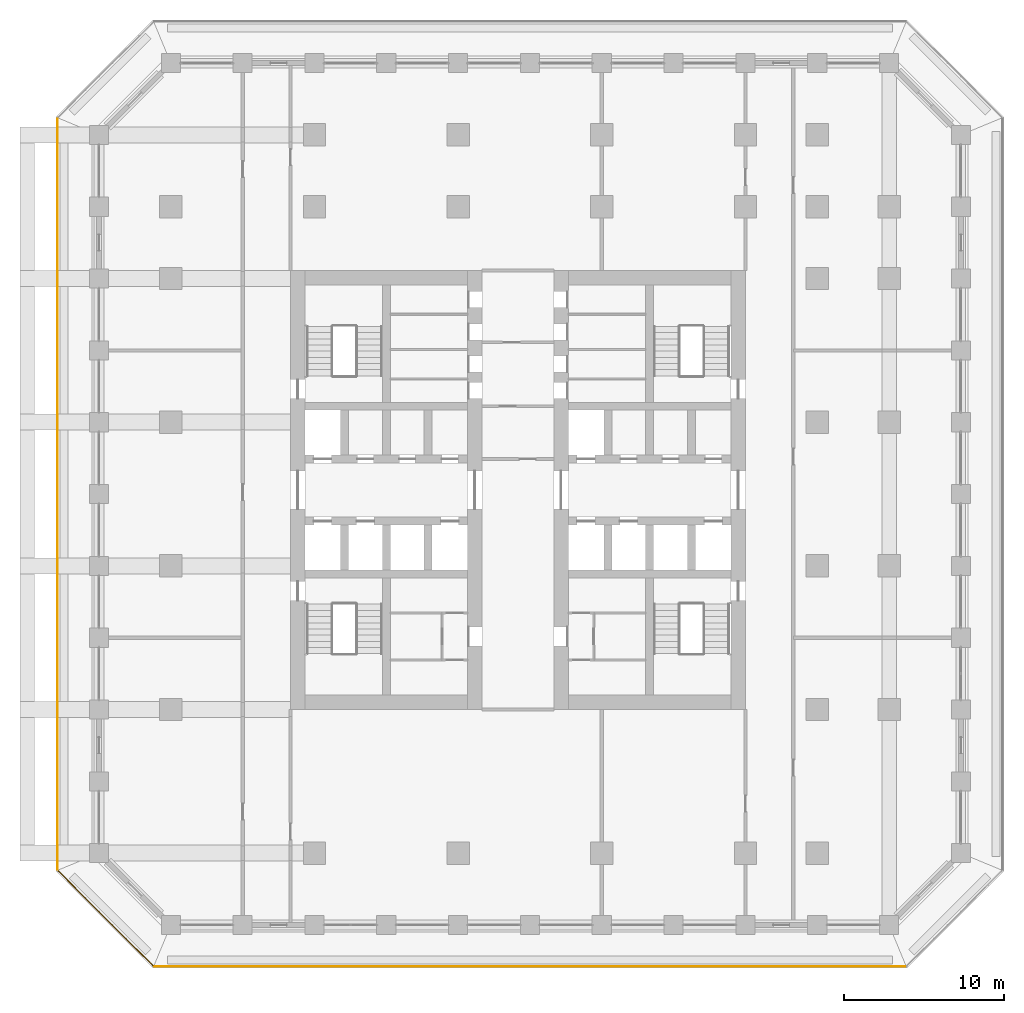
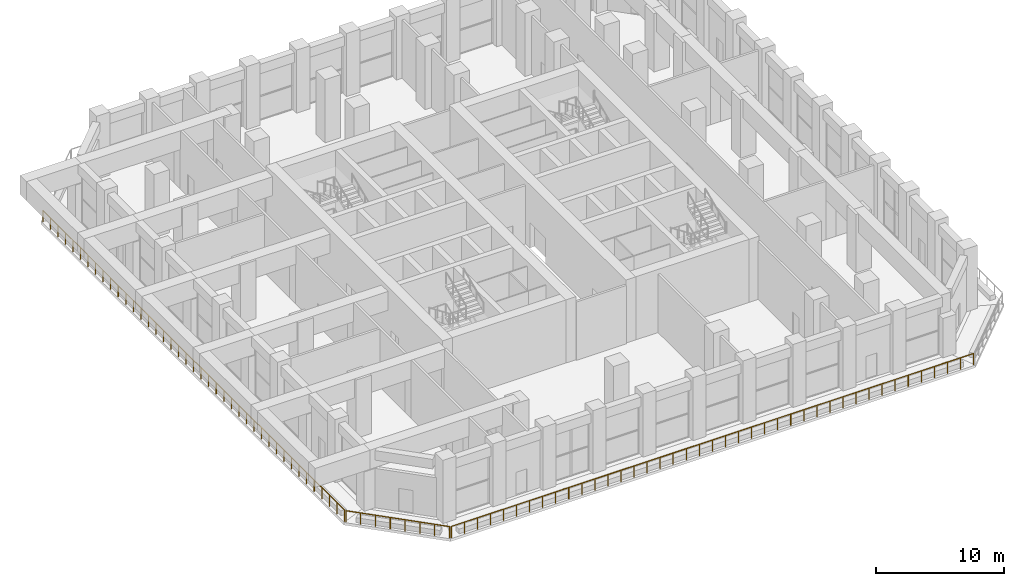
# One storey, part 17 of 24: 3 railings.
"""IFC4 building model written with IfcOpenShell, lengths in metres."""

from ifc_helpers import new_model, si_unit, direction, frame, origin, origin_2d, place, context, subcontext, project, spatial, circle, extrude, material, type_object, element, save


model = new_model("IFC4")

# Units and contexts
model_context = context("Model", 3, precision=1e-05, world=origin(), true_north=direction((0.0, 1.0)))
body_context = subcontext(model_context, "Body", "Model", "MODEL_VIEW")
ifc_project = project(units=[si_unit("LENGTHUNIT", "METRE"), si_unit("AREAUNIT", "SQUARE_METRE"), si_unit("VOLUMEUNIT", "CUBIC_METRE"), si_unit("PLANEANGLEUNIT", "RADIAN"), si_unit("MASSUNIT", "GRAM", prefix="KILO")], contexts=[model_context])

# Site, building, storey
site_placement = place(None, origin())
site = spatial("IfcSite", under=ifc_project, at=site_placement, CompositionType="ELEMENT")
building_placement = place(site_placement, origin())
building = spatial("IfcBuilding", under=site, at=building_placement, Name="Corbel Stack Research Tower", CompositionType="ELEMENT")
storey_placement = place(building_placement, frame((0.0, 0.0, 110.699951171875)))
storey = spatial("IfcBuildingStorey", under=building, at=storey_placement, Name="L25", CompositionType="ELEMENT", Elevation=110.699951171875)

# Railings
ifc_material = material(Name="Powder-coated steel guard", Category="steel")
railing_type = type_object("IfcRailingType", Name="Steel and glass guard 1100", PredefinedType="GUARDRAIL", material=ifc_material)
railing_1_placement = place(storey_placement, frame((-19.00537109375, -25.10009765625, 0.0)))
element("IfcRailing", 1, at=railing_1_placement, inside=storey, type_object=railing_type, Name="Loggia guard L25 S", PredefinedType="GUARDRAIL", context=body_context, shape_type="SweptSolid", body=[
    extrude(circle(Radius=0.02392578125, at=origin_2d()), frame((0.0, 0.0, 1.076171875), z_axis=(1.0, 0.0, 0.0), x_axis=(0.0, 1.0, 0.0)), (0.0, 0.0, 1.0), 47.0107421875),
    extrude(circle(Radius=0.02099609375, at=origin_2d()), origin(), (0.0, 0.0, 1.0), 1.052001953125),
    extrude(circle(Radius=0.02099609375, at=origin_2d()), frame((1.17529296875, 0.0, 0.0)), (0.0, 0.0, 1.0), 1.052001953125),
    extrude(circle(Radius=0.02099609375, at=origin_2d()), frame((2.3505859375, 0.0, 0.0)), (0.0, 0.0, 1.0), 1.052001953125),
    extrude(circle(Radius=0.02099609375, at=origin_2d()), frame((3.52587890625, 0.0, 0.0)), (0.0, 0.0, 1.0), 1.052001953125),
    extrude(circle(Radius=0.02099609375, at=origin_2d()), frame((4.701171875, 0.0, 0.0)), (0.0, 0.0, 1.0), 1.052001953125),
    extrude(circle(Radius=0.02099609375, at=origin_2d()), frame((5.87646484375, 0.0, 0.0)), (0.0, 0.0, 1.0), 1.052001953125),
    extrude(circle(Radius=0.02099609375, at=origin_2d()), frame((7.051513671875, 0.0, 0.0)), (0.0, 0.0, 1.0), 1.052001953125),
    extrude(circle(Radius=0.02099609375, at=origin_2d()), frame((8.226806640625, 0.0, 0.0)), (0.0, 0.0, 1.0), 1.052001953125),
    extrude(circle(Radius=0.02099609375, at=origin_2d()), frame((9.402099609375, 0.0, 0.0)), (0.0, 0.0, 1.0), 1.052001953125),
    extrude(circle(Radius=0.02099609375, at=origin_2d()), frame((10.577392578125, 0.0, 0.0)), (0.0, 0.0, 1.0), 1.052001953125),
    extrude(circle(Radius=0.02099609375, at=origin_2d()), frame((11.752685546875, 0.0, 0.0)), (0.0, 0.0, 1.0), 1.052001953125),
    extrude(circle(Radius=0.02099609375, at=origin_2d()), frame((12.927978515625, 0.0, 0.0)), (0.0, 0.0, 1.0), 1.052001953125),
    extrude(circle(Radius=0.02099609375, at=origin_2d()), frame((14.103271484375, 0.0, 0.0)), (0.0, 0.0, 1.0), 1.052001953125),
    extrude(circle(Radius=0.02099609375, at=origin_2d()), frame((15.278564453125, 0.0, 0.0)), (0.0, 0.0, 1.0), 1.052001953125),
    extrude(circle(Radius=0.02099609375, at=origin_2d()), frame((16.453857421875, 0.0, 0.0)), (0.0, 0.0, 1.0), 1.052001953125),
    extrude(circle(Radius=0.02099609375, at=origin_2d()), frame((17.62890625, 0.0, 0.0)), (0.0, 0.0, 1.0), 1.052001953125),
    extrude(circle(Radius=0.02099609375, at=origin_2d()), frame((18.80419921875, 0.0, 0.0)), (0.0, 0.0, 1.0), 1.052001953125),
    extrude(circle(Radius=0.02099609375, at=origin_2d()), frame((19.9794921875, 0.0, 0.0)), (0.0, 0.0, 1.0), 1.052001953125),
    extrude(circle(Radius=0.02099609375, at=origin_2d()), frame((21.15478515625, 0.0, 0.0)), (0.0, 0.0, 1.0), 1.052001953125),
    extrude(circle(Radius=0.02099609375, at=origin_2d()), frame((22.330078125, 0.0, 0.0)), (0.0, 0.0, 1.0), 1.052001953125),
    extrude(circle(Radius=0.02099609375, at=origin_2d()), frame((23.50537109375, 0.0, 0.0)), (0.0, 0.0, 1.0), 1.052001953125),
    extrude(circle(Radius=0.02099609375, at=origin_2d()), frame((24.6806640625, 0.0, 0.0)), (0.0, 0.0, 1.0), 1.052001953125),
    extrude(circle(Radius=0.02099609375, at=origin_2d()), frame((25.85595703125, 0.0, 0.0)), (0.0, 0.0, 1.0), 1.052001953125),
    extrude(circle(Radius=0.02099609375, at=origin_2d()), frame((27.03125, 0.0, 0.0)), (0.0, 0.0, 1.0), 1.052001953125),
    extrude(circle(Radius=0.02099609375, at=origin_2d()), frame((28.20654296875, 0.0, 0.0)), (0.0, 0.0, 1.0), 1.052001953125),
    extrude(circle(Radius=0.02099609375, at=origin_2d()), frame((29.3818359375, 0.0, 0.0)), (0.0, 0.0, 1.0), 1.052001953125),
    extrude(circle(Radius=0.02099609375, at=origin_2d()), frame((30.556884765625, 0.0, 0.0)), (0.0, 0.0, 1.0), 1.052001953125),
    extrude(circle(Radius=0.02099609375, at=origin_2d()), frame((31.732177734375, 0.0, 0.0)), (0.0, 0.0, 1.0), 1.052001953125),
    extrude(circle(Radius=0.02099609375, at=origin_2d()), frame((32.907470703125, 0.0, 0.0)), (0.0, 0.0, 1.0), 1.052001953125),
    extrude(circle(Radius=0.02099609375, at=origin_2d()), frame((34.082763671875, 0.0, 0.0)), (0.0, 0.0, 1.0), 1.052001953125),
    extrude(circle(Radius=0.02099609375, at=origin_2d()), frame((35.258056640625, 0.0, 0.0)), (0.0, 0.0, 1.0), 1.052001953125),
    extrude(circle(Radius=0.02099609375, at=origin_2d()), frame((36.433349609375, 0.0, 0.0)), (0.0, 0.0, 1.0), 1.052001953125),
    extrude(circle(Radius=0.02099609375, at=origin_2d()), frame((37.608642578125, 0.0, 0.0)), (0.0, 0.0, 1.0), 1.052001953125),
    extrude(circle(Radius=0.02099609375, at=origin_2d()), frame((38.783935546875, 0.0, 0.0)), (0.0, 0.0, 1.0), 1.052001953125),
    extrude(circle(Radius=0.02099609375, at=origin_2d()), frame((39.959228515625, 0.0, 0.0)), (0.0, 0.0, 1.0), 1.052001953125),
    extrude(circle(Radius=0.02099609375, at=origin_2d()), frame((41.13427734375, 0.0, 0.0)), (0.0, 0.0, 1.0), 1.052001953125),
    extrude(circle(Radius=0.02099609375, at=origin_2d()), frame((42.3095703125, 0.0, 0.0)), (0.0, 0.0, 1.0), 1.052001953125),
    extrude(circle(Radius=0.02099609375, at=origin_2d()), frame((43.48486328125, 0.0, 0.0)), (0.0, 0.0, 1.0), 1.052001953125),
    extrude(circle(Radius=0.02099609375, at=origin_2d()), frame((44.66015625, 0.0, 0.0)), (0.0, 0.0, 1.0), 1.052001953125),
    extrude(circle(Radius=0.02099609375, at=origin_2d()), frame((45.83544921875, 0.0, 0.0)), (0.0, 0.0, 1.0), 1.052001953125),
    extrude(circle(Radius=0.02099609375, at=origin_2d()), frame((47.0107421875, 0.0, 0.0)), (0.0, 0.0, 1.0), 1.052001953125),
])
railing_2_placement = place(storey_placement, frame((-25.10009765625, 28.00537109375, 0.0)))
element("IfcRailing", 2, at=railing_2_placement, inside=storey, type_object=railing_type, Name="Loggia guard L25 W", PredefinedType="GUARDRAIL", context=body_context, shape_type="SweptSolid", body=[
    extrude(circle(Radius=0.02392578125, at=origin_2d()), frame((0.0, 0.0, 1.076171875), z_axis=(0.0, -1.0, 0.0), x_axis=(1.0, 0.0, 0.0)), (0.0, 0.0, 1.0), 47.0107421875),
    extrude(circle(Radius=0.02099609375, at=origin_2d()), origin(), (0.0, 0.0, 1.0), 1.052001953125),
    extrude(circle(Radius=0.02099609375, at=origin_2d()), frame((0.0, -1.17529296875, 0.0)), (0.0, 0.0, 1.0), 1.052001953125),
    extrude(circle(Radius=0.02099609375, at=origin_2d()), frame((0.0, -2.3505859375, 0.0)), (0.0, 0.0, 1.0), 1.052001953125),
    extrude(circle(Radius=0.02099609375, at=origin_2d()), frame((0.0, -3.52587890625, 0.0)), (0.0, 0.0, 1.0), 1.052001953125),
    extrude(circle(Radius=0.02099609375, at=origin_2d()), frame((0.0, -4.701171875, 0.0)), (0.0, 0.0, 1.0), 1.052001953125),
    extrude(circle(Radius=0.02099609375, at=origin_2d()), frame((0.0, -5.87646484375, 0.0)), (0.0, 0.0, 1.0), 1.052001953125),
    extrude(circle(Radius=0.02099609375, at=origin_2d()), frame((0.0, -7.051513671875, 0.0)), (0.0, 0.0, 1.0), 1.052001953125),
    extrude(circle(Radius=0.02099609375, at=origin_2d()), frame((0.0, -8.226806640625, 0.0)), (0.0, 0.0, 1.0), 1.052001953125),
    extrude(circle(Radius=0.02099609375, at=origin_2d()), frame((0.0, -9.402099609375, 0.0)), (0.0, 0.0, 1.0), 1.052001953125),
    extrude(circle(Radius=0.02099609375, at=origin_2d()), frame((0.0, -10.577392578125, 0.0)), (0.0, 0.0, 1.0), 1.052001953125),
    extrude(circle(Radius=0.02099609375, at=origin_2d()), frame((0.0, -11.752685546875, 0.0)), (0.0, 0.0, 1.0), 1.052001953125),
    extrude(circle(Radius=0.02099609375, at=origin_2d()), frame((0.0, -12.927978515625, 0.0)), (0.0, 0.0, 1.0), 1.052001953125),
    extrude(circle(Radius=0.02099609375, at=origin_2d()), frame((0.0, -14.103271484375, 0.0)), (0.0, 0.0, 1.0), 1.052001953125),
    extrude(circle(Radius=0.02099609375, at=origin_2d()), frame((0.0, -15.278564453125, 0.0)), (0.0, 0.0, 1.0), 1.052001953125),
    extrude(circle(Radius=0.02099609375, at=origin_2d()), frame((0.0, -16.453857421875, 0.0)), (0.0, 0.0, 1.0), 1.052001953125),
    extrude(circle(Radius=0.02099609375, at=origin_2d()), frame((0.0, -17.62890625, 0.0)), (0.0, 0.0, 1.0), 1.052001953125),
    extrude(circle(Radius=0.02099609375, at=origin_2d()), frame((0.0, -18.80419921875, 0.0)), (0.0, 0.0, 1.0), 1.052001953125),
    extrude(circle(Radius=0.02099609375, at=origin_2d()), frame((0.0, -19.9794921875, 0.0)), (0.0, 0.0, 1.0), 1.052001953125),
    extrude(circle(Radius=0.02099609375, at=origin_2d()), frame((0.0, -21.15478515625, 0.0)), (0.0, 0.0, 1.0), 1.052001953125),
    extrude(circle(Radius=0.02099609375, at=origin_2d()), frame((0.0, -22.330078125, 0.0)), (0.0, 0.0, 1.0), 1.052001953125),
    extrude(circle(Radius=0.02099609375, at=origin_2d()), frame((0.0, -23.50537109375, 0.0)), (0.0, 0.0, 1.0), 1.052001953125),
    extrude(circle(Radius=0.02099609375, at=origin_2d()), frame((0.0, -24.6806640625, 0.0)), (0.0, 0.0, 1.0), 1.052001953125),
    extrude(circle(Radius=0.02099609375, at=origin_2d()), frame((0.0, -25.85595703125, 0.0)), (0.0, 0.0, 1.0), 1.052001953125),
    extrude(circle(Radius=0.02099609375, at=origin_2d()), frame((0.0, -27.03125, 0.0)), (0.0, 0.0, 1.0), 1.052001953125),
    extrude(circle(Radius=0.02099609375, at=origin_2d()), frame((0.0, -28.20654296875, 0.0)), (0.0, 0.0, 1.0), 1.052001953125),
    extrude(circle(Radius=0.02099609375, at=origin_2d()), frame((0.0, -29.3818359375, 0.0)), (0.0, 0.0, 1.0), 1.052001953125),
    extrude(circle(Radius=0.02099609375, at=origin_2d()), frame((0.0, -30.556884765625, 0.0)), (0.0, 0.0, 1.0), 1.052001953125),
    extrude(circle(Radius=0.02099609375, at=origin_2d()), frame((0.0, -31.732177734375, 0.0)), (0.0, 0.0, 1.0), 1.052001953125),
    extrude(circle(Radius=0.02099609375, at=origin_2d()), frame((0.0, -32.907470703125, 0.0)), (0.0, 0.0, 1.0), 1.052001953125),
    extrude(circle(Radius=0.02099609375, at=origin_2d()), frame((0.0, -34.082763671875, 0.0)), (0.0, 0.0, 1.0), 1.052001953125),
    extrude(circle(Radius=0.02099609375, at=origin_2d()), frame((0.0, -35.258056640625, 0.0)), (0.0, 0.0, 1.0), 1.052001953125),
    extrude(circle(Radius=0.02099609375, at=origin_2d()), frame((0.0, -36.433349609375, 0.0)), (0.0, 0.0, 1.0), 1.052001953125),
    extrude(circle(Radius=0.02099609375, at=origin_2d()), frame((0.0, -37.608642578125, 0.0)), (0.0, 0.0, 1.0), 1.052001953125),
    extrude(circle(Radius=0.02099609375, at=origin_2d()), frame((0.0, -38.783935546875, 0.0)), (0.0, 0.0, 1.0), 1.052001953125),
    extrude(circle(Radius=0.02099609375, at=origin_2d()), frame((0.0, -39.959228515625, 0.0)), (0.0, 0.0, 1.0), 1.052001953125),
    extrude(circle(Radius=0.02099609375, at=origin_2d()), frame((0.0, -41.13427734375, 0.0)), (0.0, 0.0, 1.0), 1.052001953125),
    extrude(circle(Radius=0.02099609375, at=origin_2d()), frame((0.0, -42.3095703125, 0.0)), (0.0, 0.0, 1.0), 1.052001953125),
    extrude(circle(Radius=0.02099609375, at=origin_2d()), frame((0.0, -43.48486328125, 0.0)), (0.0, 0.0, 1.0), 1.052001953125),
    extrude(circle(Radius=0.02099609375, at=origin_2d()), frame((0.0, -44.66015625, 0.0)), (0.0, 0.0, 1.0), 1.052001953125),
    extrude(circle(Radius=0.02099609375, at=origin_2d()), frame((0.0, -45.83544921875, 0.0)), (0.0, 0.0, 1.0), 1.052001953125),
    extrude(circle(Radius=0.02099609375, at=origin_2d()), frame((0.0, -47.0107421875, 0.0)), (0.0, 0.0, 1.0), 1.052001953125),
])
railing_3_placement = place(storey_placement, frame((-25.04931640625, -19.127685546875, 0.0)))
element("IfcRailing", 3, at=railing_3_placement, inside=storey, type_object=railing_type, Name="Loggia guard L25 SW", PredefinedType="GUARDRAIL", context=body_context, shape_type="SweptSolid", body=[
    extrude(circle(Radius=0.02392578125, at=origin_2d()), frame((0.0, 0.0, 1.076171875), z_axis=(0.707106781187, -0.707106781187, 0.0), x_axis=(0.707106781187, 0.707106781187, 0.0)), (0.0, 0.0, 1.0), 8.37451171875),
    extrude(circle(Radius=0.02099609375, at=origin_2d()), origin(), (0.0, 0.0, 1.0), 1.052001953125),
    extrude(circle(Radius=0.02099609375, at=origin_2d()), frame((0.845947265625, -0.845947265625, 0.0)), (0.0, 0.0, 1.0), 1.052001953125),
    extrude(circle(Radius=0.02099609375, at=origin_2d()), frame((1.69189453125, -1.69189453125, 0.0)), (0.0, 0.0, 1.0), 1.052001953125),
    extrude(circle(Radius=0.02099609375, at=origin_2d()), frame((2.537841796875, -2.537841796875, 0.0)), (0.0, 0.0, 1.0), 1.052001953125),
    extrude(circle(Radius=0.02099609375, at=origin_2d()), frame((3.3837890625, -3.3837890625, 0.0)), (0.0, 0.0, 1.0), 1.052001953125),
    extrude(circle(Radius=0.02099609375, at=origin_2d()), frame((4.229736328125, -4.229736328125, 0.0)), (0.0, 0.0, 1.0), 1.052001953125),
    extrude(circle(Radius=0.02099609375, at=origin_2d()), frame((5.07568359375, -5.07568359375, 0.0)), (0.0, 0.0, 1.0), 1.052001953125),
    extrude(circle(Radius=0.02099609375, at=origin_2d()), frame((5.921630859375, -5.921630859375, 0.0)), (0.0, 0.0, 1.0), 1.052001953125),
])

save(model, "model.ifc")
